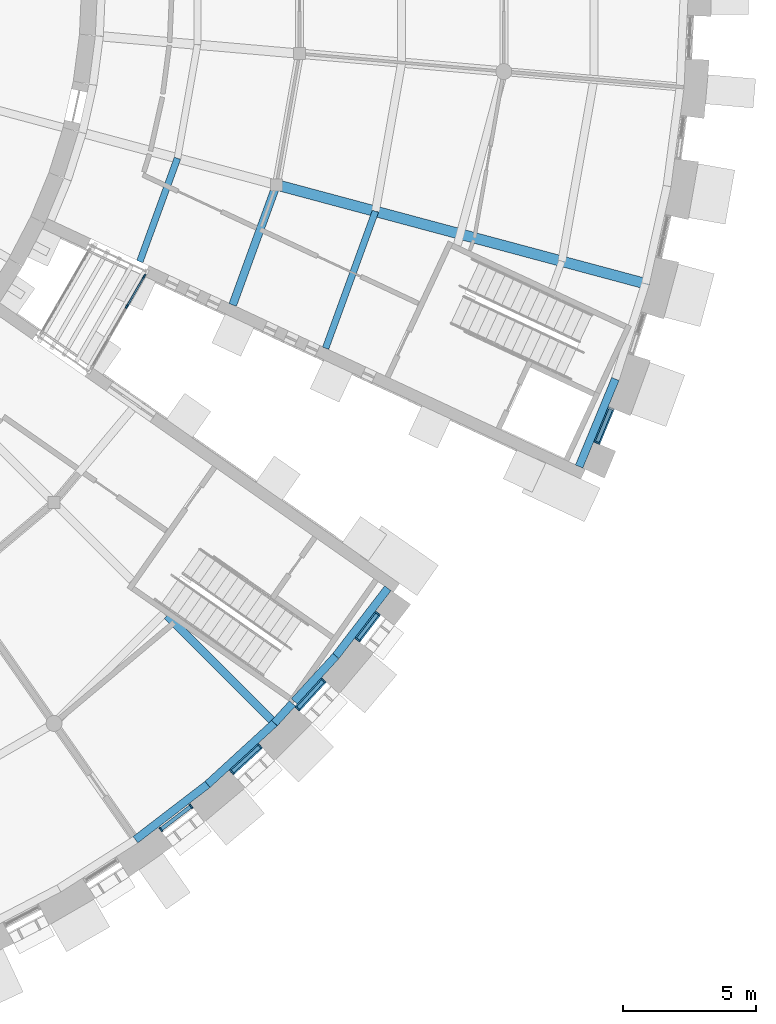
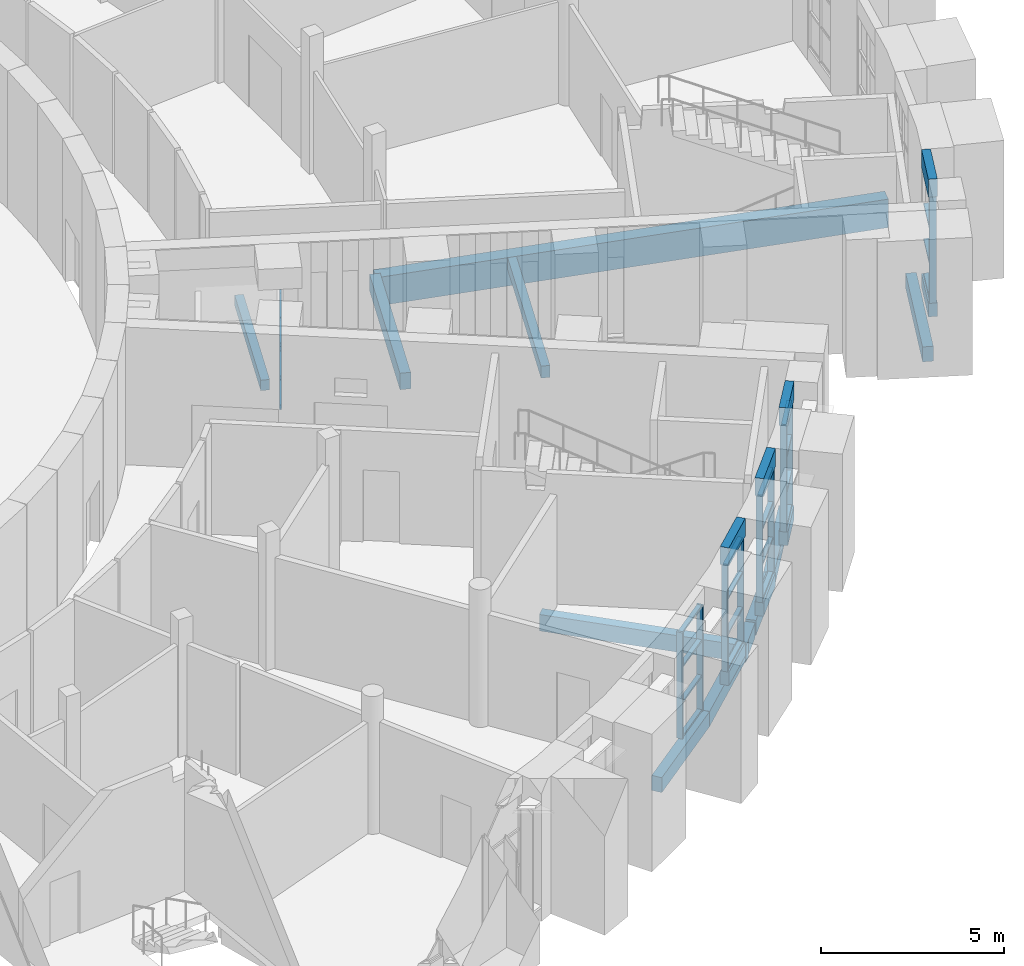
# One storey, part 15 of 66: 34 members, 19 beams, 6 elements without a shape of their own.
"""IFC4 building model written with IfcOpenShell, lengths in metres."""

from ifc_helpers import new_model, si_unit, direction, frame, origin, origin_2d, place, context, subcontext, project, spatial, rectangle, extrude, material, layer, layer_set, material_profile, profile_set, type_object, element, aggregate, save


model = new_model("IFC4")

# Units and contexts
model_context = context("Model", 3, precision=1e-05, world=origin(), true_north=direction((0.0, 1.0)))
body_context = subcontext(model_context, "Body", "Model", "MODEL_VIEW")
ifc_project = project(units=[si_unit("LENGTHUNIT", "METRE"), si_unit("AREAUNIT", "SQUARE_METRE"), si_unit("VOLUMEUNIT", "CUBIC_METRE"), si_unit("PLANEANGLEUNIT", "RADIAN"), si_unit("MASSUNIT", "GRAM", prefix="KILO")], contexts=[model_context])

# Site, building, storey
site_placement = place(None, origin())
site = spatial("IfcSite", under=ifc_project, at=site_placement, CompositionType="ELEMENT")
building_placement = place(site_placement, origin())
building = spatial("IfcBuilding", under=site, at=building_placement, Name="Volute Hill Aquarium", CompositionType="ELEMENT")
storey_placement = place(building_placement, frame((0.0, 0.0, 4.60009765625)))
storey = spatial("IfcBuildingStorey", under=building, at=storey_placement, Name="L02", CompositionType="ELEMENT", Elevation=4.60009765625)

# Beams
ifc_material_1 = material(Name="Concrete C35/45", Category="concrete")
ifc_material_profile_1 = material_profile(ifc_material_1, rectangle(XDim=0.300048828125, YDim=0.550048828125, at=origin_2d()), Name="RC beam 300x550")
ifc_profile_set_1 = profile_set([ifc_material_profile_1], Name="Concrete C35/45")
beam_type_1 = type_object("IfcBeamType", Name="Beam 300x550 C35/45", PredefinedType="BEAM", material=ifc_profile_set_1)
beam_1_placement = place(storey_placement, frame((23.617919921875, -23.617919921875, -0.545166015625), z_axis=(0.707106781187, -0.707106781187, 0.0), x_axis=(0.707106781187, 0.707106781187, 0.0)))
element("IfcBeam", 1, at=beam_1_placement, inside=storey, type_object=beam_type_1, Name="bm/S3/L02/rad4.12", PredefinedType="BEAM", context=body_context, shape_type="SweptSolid", body=[
    extrude(rectangle(XDim=0.300048828125, YDim=0.550048828125, at=origin_2d()), origin(), (0.0, 0.0, 1.0), 5.84912109375),
])
beam_2_placement = place(storey_placement, frame((26.07958984375, -11.9404296875, -0.51513671875), z_axis=(0.342053281392, 0.939680558854, 0.0), x_axis=(-0.939680558854, 0.342053281392, 0.0)))
element("IfcBeam", 2, at=beam_2_placement, inside=storey, type_object=beam_type_1, Name="bm/S4/L02/ring1.11", PredefinedType="BEAM", context=body_context, shape_type="SweptSolid", body=[
    extrude(rectangle(XDim=0.300048828125, YDim=0.550048828125, at=origin_2d()), origin(), (0.0, 0.0, 1.0), 4.802001953125),
])
ifc_material_2 = material(Name="Concrete C35/45", Category="concrete")
ifc_material_profile_2 = material_profile(ifc_material_2, rectangle(XDim=0.39990234375, YDim=0.949951171875, at=origin_2d()), Name="RC beam 400x950")
ifc_profile_set_2 = profile_set([ifc_material_profile_2], Name="Concrete C35/45")
beam_type_2 = type_object("IfcBeamType", Name="Beam 400x950 C35/45", PredefinedType="BEAM", material=ifc_profile_set_2)
beam_3_placement = place(storey_placement, frame((27.72216796875, -7.427978515625, -0.715087890625), z_axis=(0.965924602504, -0.258823612287, 0.0), x_axis=(0.258823612287, 0.965924602504, 0.0)))
element("IfcBeam", 3, at=beam_3_placement, inside=storey, type_object=beam_type_2, Name="bm/S4/L02/rad1.2", PredefinedType="BEAM", context=body_context, shape_type="SweptSolid", body=[
    extrude(rectangle(XDim=0.39990234375, YDim=0.949951171875, at=origin_2d()), origin(), (0.0, 0.0, 1.0), 14.5),
])

# Curtain wall, members
ifc_material_3 = material(Name="Aluminium and glass", Category="aluminium")
ifc_layer_1 = layer(ifc_material_3, 0.1201171875)
ifc_layer_set_1 = layer_set([ifc_layer_1], Name="Bridge curtain wall")
curtain_wall_type_1 = type_object("IfcCurtainWallType", Name="Bridge curtain wall", PredefinedType="NOTDEFINED", material=ifc_layer_set_1)
curtain_wall_1_placement = place(storey_placement, origin())
curtain_wall_1 = element("IfcCurtainWall", 4, at=curtain_wall_1_placement, inside=storey, type_object=curtain_wall_type_1, Name="br/SC4/L02/cwb", PredefinedType="NOTDEFINED")
ifc_material_4 = material(Name="Aluminium", Category="aluminium")
ifc_material_profile_3 = material_profile(ifc_material_4, rectangle(XDim=0.06005859375, YDim=0.159912109375, at=origin_2d()), Name="Aluminium mullion 60x160")
ifc_profile_set_3 = profile_set([ifc_material_profile_3], Name="Aluminium")
member_type_1 = type_object("IfcMemberType", Name="Bridge mullion 60x160", PredefinedType="MULLION", material=ifc_profile_set_3)
member_1_placement = place(storey_placement, frame((22.10498046875, -11.992919921875, 0.0), z_axis=(0.0, 0.0, 1.0), x_axis=(-0.866022279881, 0.50000541072, 0.0)))
member_1 = element("IfcMember", 5, at=member_1_placement, type_object=member_type_1, Name="BR5 mullion 3", PredefinedType="MULLION", context=body_context, shape_type="SweptSolid", body=[
    extrude(rectangle(XDim=0.06005859375, YDim=0.159912109375, at=origin_2d()), origin(), (0.0, 0.0, 1.0), 3.0),
])
member_2_placement = place(storey_placement, frame((22.756103515625, -10.864990234375, 0.0), z_axis=(0.0, 0.0, 1.0), x_axis=(-0.866022279881, 0.50000541072, 0.0)))
member_2 = element("IfcMember", 6, at=member_2_placement, type_object=member_type_1, Name="BR5 mullion 4", PredefinedType="MULLION", context=body_context, shape_type="SweptSolid", body=[
    extrude(rectangle(XDim=0.06005859375, YDim=0.159912109375, at=origin_2d()), origin(), (0.0, 0.0, 1.0), 3.0),
])
ifc_material_5 = material(Name="Aluminium", Category="aluminium")
ifc_material_profile_4 = material_profile(ifc_material_5, rectangle(XDim=0.06005859375, YDim=0.1201171875, at=origin_2d()), Name="Aluminium transom 60x120")
ifc_profile_set_4 = profile_set([ifc_material_profile_4], Name="Aluminium")
member_type_2 = type_object("IfcMemberType", Name="Bridge transom 60x120", PredefinedType="USERDEFINED", material=ifc_profile_set_4)
member_3_placement = place(storey_placement, frame((22.119873046875, -11.967041015625, 0.02978515625), z_axis=(0.500090980937, 0.865972869544, 0.0), x_axis=(-0.865972869544, 0.500090980937, 0.0)))
member_3 = element("IfcMember", 7, at=member_3_placement, type_object=member_type_2, Name="BR5 transom 3.1", ObjectType="TRANSOM", PredefinedType="USERDEFINED", context=body_context, shape_type="SweptSolid", body=[
    extrude(rectangle(XDim=0.06005859375, YDim=0.1201171875, at=origin_2d()), origin(), (0.0, 0.0, 1.0), 1.242431640625),
])
member_4_placement = place(storey_placement, frame((22.119873046875, -11.967041015625, 1.0), z_axis=(0.500090980937, 0.865972869544, 0.0), x_axis=(-0.865972869544, 0.500090980937, 0.0)))
member_4 = element("IfcMember", 8, at=member_4_placement, type_object=member_type_2, Name="BR5 transom 3.2", ObjectType="TRANSOM", PredefinedType="USERDEFINED", context=body_context, shape_type="SweptSolid", body=[
    extrude(rectangle(XDim=0.06005859375, YDim=0.1201171875, at=origin_2d()), origin(), (0.0, 0.0, 1.0), 1.242431640625),
])
member_5_placement = place(storey_placement, frame((22.119873046875, -11.967041015625, 2.099853515625), z_axis=(0.500090980937, 0.865972869544, 0.0), x_axis=(-0.865972869544, 0.500090980937, 0.0)))
member_5 = element("IfcMember", 9, at=member_5_placement, type_object=member_type_2, Name="BR5 transom 3.3", ObjectType="TRANSOM", PredefinedType="USERDEFINED", context=body_context, shape_type="SweptSolid", body=[
    extrude(rectangle(XDim=0.06005859375, YDim=0.1201171875, at=origin_2d()), origin(), (0.0, 0.0, 1.0), 1.242431640625),
])
member_6_placement = place(storey_placement, frame((22.119873046875, -11.967041015625, 2.969970703125), z_axis=(0.500090980937, 0.865972869544, 0.0), x_axis=(-0.865972869544, 0.500090980937, 0.0)))
member_6 = element("IfcMember", 10, at=member_6_placement, type_object=member_type_2, Name="BR5 transom 3.4", ObjectType="TRANSOM", PredefinedType="USERDEFINED", context=body_context, shape_type="SweptSolid", body=[
    extrude(rectangle(XDim=0.06005859375, YDim=0.1201171875, at=origin_2d()), origin(), (0.0, 0.0, 1.0), 1.242431640625),
])
aggregate(curtain_wall_1, [member_1, member_2, member_3, member_4, member_5, member_6])

ifc_material_6 = material(Name="Aluminium", Category="aluminium")
ifc_layer_2 = layer(ifc_material_6, 0.25)
ifc_layer_set_2 = layer_set([ifc_layer_2], Name="Curtain wall niche S3 module 1489")
curtain_wall_type_2 = type_object("IfcCurtainWallType", Name="Curtain wall niche S3 module 1489", PredefinedType="NOTDEFINED", material=ifc_layer_set_2)
curtain_wall_2_placement = place(storey_placement, origin())
curtain_wall_2 = element("IfcCurtainWall", 11, at=curtain_wall_2_placement, inside=storey, type_object=curtain_wall_type_2, Name="Curtain wall CW S3 L02 7", PredefinedType="NOTDEFINED")
ifc_material_7 = material(Name="Aluminium", Category="aluminium")
ifc_material_profile_5 = material_profile(ifc_material_7, rectangle(XDim=0.179931640625, YDim=0.06005859375, at=origin_2d()), Name="Curtain wall mullion S3 60x180")
ifc_profile_set_5 = profile_set([ifc_material_profile_5], Name="Aluminium")
member_type_3 = type_object("IfcMemberType", Name="Curtain wall mullion S3 60x180", PredefinedType="MULLION", material=ifc_profile_set_5)
member_7_placement = place(storey_placement, frame((23.380126953125, -31.643310546875, 0.449951171875), z_axis=(0.0, 0.0, 1.0), x_axis=(-0.608746843851, 0.793364531663, 0.0)))
member_7 = element("IfcMember", 12, at=member_7_placement, type_object=member_type_3, Name="CW mullion 1", PredefinedType="MULLION", context=body_context, shape_type="SweptSolid", body=[
    extrude(rectangle(XDim=0.179931640625, YDim=0.06005859375, at=origin_2d()), origin(), (0.0, 0.0, 1.0), 3.550048828125),
])
member_8_placement = place(storey_placement, frame((24.513916015625, -30.773193359375, 0.449951171875), z_axis=(0.0, 0.0, 1.0), x_axis=(-0.608746843851, 0.793364531663, 0.0)))
member_8 = element("IfcMember", 13, at=member_8_placement, type_object=member_type_3, Name="CW mullion 2", PredefinedType="MULLION", context=body_context, shape_type="SweptSolid", body=[
    extrude(rectangle(XDim=0.179931640625, YDim=0.06005859375, at=origin_2d()), origin(), (0.0, 0.0, 1.0), 3.550048828125),
])

curtain_wall_3_placement = place(storey_placement, origin())
curtain_wall_3 = element("IfcCurtainWall", 14, at=curtain_wall_3_placement, inside=storey, type_object=curtain_wall_type_2, Name="Curtain wall CW S3 L02 8", PredefinedType="NOTDEFINED")
member_9_placement = place(storey_placement, frame((26.048828125, -29.4853515625, 0.449951171875), z_axis=(0.0, 0.0, 1.0), x_axis=(-0.675613025622, 0.73725642731, 0.0)))
member_9 = element("IfcMember", 15, at=member_9_placement, type_object=member_type_3, Name="CW mullion 1", PredefinedType="MULLION", context=body_context, shape_type="SweptSolid", body=[
    extrude(rectangle(XDim=0.179931640625, YDim=0.06005859375, at=origin_2d()), origin(), (0.0, 0.0, 1.0), 3.550048828125),
])
member_10_placement = place(storey_placement, frame((27.1025390625, -28.519775390625, 0.449951171875), z_axis=(0.0, 0.0, 1.0), x_axis=(-0.675613025622, 0.73725642731, 0.0)))
member_10 = element("IfcMember", 16, at=member_10_placement, type_object=member_type_3, Name="CW mullion 2", PredefinedType="MULLION", context=body_context, shape_type="SweptSolid", body=[
    extrude(rectangle(XDim=0.179931640625, YDim=0.06005859375, at=origin_2d()), origin(), (0.0, 0.0, 1.0), 3.550048828125),
])

curtain_wall_4_placement = place(storey_placement, origin())
curtain_wall_4 = element("IfcCurtainWall", 17, at=curtain_wall_4_placement, inside=storey, type_object=curtain_wall_type_2, Name="Curtain wall CW S3 L02 9", PredefinedType="NOTDEFINED")
member_11_placement = place(storey_placement, frame((28.51953125, -27.102783203125, 0.449951171875), z_axis=(0.0, 0.0, 1.0), x_axis=(-0.737259772044, 0.675609375694, 0.0)))
member_11 = element("IfcMember", 18, at=member_11_placement, type_object=member_type_3, Name="CW mullion 1", PredefinedType="MULLION", context=body_context, shape_type="SweptSolid", body=[
    extrude(rectangle(XDim=0.179931640625, YDim=0.06005859375, at=origin_2d()), origin(), (0.0, 0.0, 1.0), 3.550048828125),
])
member_12_placement = place(storey_placement, frame((29.485107421875, -26.049072265625, 0.449951171875), z_axis=(0.0, 0.0, 1.0), x_axis=(-0.737259772044, 0.675609375694, 0.0)))
member_12 = element("IfcMember", 19, at=member_12_placement, type_object=member_type_3, Name="CW mullion 2", PredefinedType="MULLION", context=body_context, shape_type="SweptSolid", body=[
    extrude(rectangle(XDim=0.179931640625, YDim=0.06005859375, at=origin_2d()), origin(), (0.0, 0.0, 1.0), 3.550048828125),
])

ifc_material_8 = material(Name="Aluminium", Category="aluminium")
ifc_layer_3 = layer(ifc_material_8, 0.25)
ifc_layer_set_3 = layer_set([ifc_layer_3], Name="Curtain wall niche S3 module 1289")
curtain_wall_type_3 = type_object("IfcCurtainWallType", Name="Curtain wall niche S3 module 1289", PredefinedType="NOTDEFINED", material=ifc_layer_set_3)
curtain_wall_5_placement = place(storey_placement, origin())
curtain_wall_5 = element("IfcCurtainWall", 20, at=curtain_wall_5_placement, inside=storey, type_object=curtain_wall_type_3, Name="Curtain wall CW S3 L02 10", PredefinedType="NOTDEFINED")
member_13_placement = place(storey_placement, frame((30.773193359375, -24.513916015625, 0.449951171875), z_axis=(0.0, 0.0, 1.0), x_axis=(-0.79336569779, 0.608745324064, 0.0)))
member_13 = element("IfcMember", 21, at=member_13_placement, type_object=member_type_3, Name="CW mullion 1", PredefinedType="MULLION", context=body_context, shape_type="SweptSolid", body=[
    extrude(rectangle(XDim=0.179931640625, YDim=0.06005859375, at=origin_2d()), origin(), (0.0, 0.0, 1.0), 3.550048828125),
])
member_14_placement = place(storey_placement, frame((31.521484375, -23.538818359375, 0.449951171875), z_axis=(0.0, 0.0, 1.0), x_axis=(-0.79336569779, 0.608745324064, 0.0)))
member_14 = element("IfcMember", 22, at=member_14_placement, type_object=member_type_3, Name="CW mullion 2", PredefinedType="MULLION", context=body_context, shape_type="SweptSolid", body=[
    extrude(rectangle(XDim=0.179931640625, YDim=0.06005859375, at=origin_2d()), origin(), (0.0, 0.0, 1.0), 3.550048828125),
])

# Curtain wall, member
ifc_material_9 = material(Name="Aluminium", Category="aluminium")
ifc_layer_4 = layer(ifc_material_9, 0.25)
ifc_layer_set_4 = layer_set([ifc_layer_4], Name="Curtain wall niche S4 module 1437")
curtain_wall_type_4 = type_object("IfcCurtainWallType", Name="Curtain wall niche S4 module 1437", PredefinedType="NOTDEFINED", material=ifc_layer_set_4)
curtain_wall_6_placement = place(storey_placement, origin())
curtain_wall_6 = element("IfcCurtainWall", 23, at=curtain_wall_6_placement, inside=storey, type_object=curtain_wall_type_4, Name="Curtain wall CW S4 L02 1", PredefinedType="NOTDEFINED")
ifc_material_10 = material(Name="Aluminium", Category="aluminium")
ifc_material_profile_6 = material_profile(ifc_material_10, rectangle(XDim=0.199951171875, YDim=0.06005859375, at=origin_2d()), Name="Curtain wall mullion S4 60x200")
ifc_profile_set_6 = profile_set([ifc_material_profile_6], Name="Aluminium")
member_type_4 = type_object("IfcMemberType", Name="Curtain wall mullion S4 60x200", PredefinedType="MULLION", material=ifc_profile_set_6)
member_15_placement = place(storey_placement, frame((39.763427734375, -17.107666015625, 0.449951171875), z_axis=(0.0, 0.0, 1.0), x_axis=(-0.923873852375, 0.38269714514, 0.0)))
member_15 = element("IfcMember", 24, at=member_15_placement, type_object=member_type_4, Name="CW mullion 1", PredefinedType="MULLION", context=body_context, shape_type="SweptSolid", body=[
    extrude(rectangle(XDim=0.199951171875, YDim=0.06005859375, at=origin_2d()), origin(), (0.0, 0.0, 1.0), 3.550048828125),
])

# Member
ifc_material_11 = material(Name="Aluminium", Category="aluminium")
ifc_material_profile_7 = material_profile(ifc_material_11, rectangle(XDim=0.139892578125, YDim=0.06005859375, at=origin_2d()), Name="Curtain wall transom S3 60x140")
ifc_profile_set_7 = profile_set([ifc_material_profile_7], Name="Aluminium")
member_type_5 = type_object("IfcMemberType", Name="Curtain wall transom S3 60x140", PredefinedType="USERDEFINED", material=ifc_profile_set_7)
member_16_placement = place(storey_placement, frame((23.40380859375, -31.625, 0.47998046875), z_axis=(0.793405441688, 0.608693523129, 0.0), x_axis=(-0.608693523129, 0.793405441688, 0.0)))
member_16 = element("IfcMember", 25, at=member_16_placement, type_object=member_type_5, Name="CW transom 1.1", ObjectType="TRANSOM", PredefinedType="USERDEFINED", context=body_context, shape_type="SweptSolid", body=[
    extrude(rectangle(XDim=0.139892578125, YDim=0.06005859375, at=origin_2d()), origin(), (0.0, 0.0, 1.0), 1.369384765625),
])

member_17_placement = place(storey_placement, frame((23.40380859375, -31.625, 1.63330078125), z_axis=(0.793405441688, 0.608693523129, 0.0), x_axis=(-0.608693523129, 0.793405441688, 0.0)))
member_17 = element("IfcMember", 26, at=member_17_placement, type_object=member_type_5, Name="CW transom 1.2", ObjectType="TRANSOM", PredefinedType="USERDEFINED", context=body_context, shape_type="SweptSolid", body=[
    extrude(rectangle(XDim=0.139892578125, YDim=0.06005859375, at=origin_2d()), origin(), (0.0, 0.0, 1.0), 1.369384765625),
])

member_18_placement = place(storey_placement, frame((23.40380859375, -31.625, 2.816650390625), z_axis=(0.793405441688, 0.608693523129, 0.0), x_axis=(-0.608693523129, 0.793405441688, 0.0)))
member_18 = element("IfcMember", 27, at=member_18_placement, type_object=member_type_5, Name="CW transom 1.3", ObjectType="TRANSOM", PredefinedType="USERDEFINED", context=body_context, shape_type="SweptSolid", body=[
    extrude(rectangle(XDim=0.139892578125, YDim=0.06005859375, at=origin_2d()), origin(), (0.0, 0.0, 1.0), 1.369384765625),
])

member_19_placement = place(storey_placement, frame((23.40380859375, -31.625, 3.969970703125), z_axis=(0.793405441688, 0.608693523129, 0.0), x_axis=(-0.608693523129, 0.793405441688, 0.0)))
member_19 = element("IfcMember", 28, at=member_19_placement, type_object=member_type_5, Name="CW transom 1.4", ObjectType="TRANSOM", PredefinedType="USERDEFINED", context=body_context, shape_type="SweptSolid", body=[
    extrude(rectangle(XDim=0.139892578125, YDim=0.06005859375, at=origin_2d()), origin(), (0.0, 0.0, 1.0), 1.369384765625),
])

aggregate(curtain_wall_2, [member_7, member_8, member_16, member_17, member_18, member_19])

member_20_placement = place(storey_placement, frame((26.071044921875, -29.465087890625, 0.47998046875), z_axis=(0.73727994828, 0.675587357686, 0.0), x_axis=(-0.675587357686, 0.73727994828, 0.0)))
member_20 = element("IfcMember", 29, at=member_20_placement, type_object=member_type_5, Name="CW transom 1.1", ObjectType="TRANSOM", PredefinedType="USERDEFINED", context=body_context, shape_type="SweptSolid", body=[
    extrude(rectangle(XDim=0.139892578125, YDim=0.06005859375, at=origin_2d()), origin(), (0.0, 0.0, 1.0), 1.369140625),
])

member_21_placement = place(storey_placement, frame((26.071044921875, -29.465087890625, 1.63330078125), z_axis=(0.73727994828, 0.675587357686, 0.0), x_axis=(-0.675587357686, 0.73727994828, 0.0)))
member_21 = element("IfcMember", 30, at=member_21_placement, type_object=member_type_5, Name="CW transom 1.2", ObjectType="TRANSOM", PredefinedType="USERDEFINED", context=body_context, shape_type="SweptSolid", body=[
    extrude(rectangle(XDim=0.139892578125, YDim=0.06005859375, at=origin_2d()), origin(), (0.0, 0.0, 1.0), 1.369140625),
])

member_22_placement = place(storey_placement, frame((26.071044921875, -29.465087890625, 2.816650390625), z_axis=(0.73727994828, 0.675587357686, 0.0), x_axis=(-0.675587357686, 0.73727994828, 0.0)))
member_22 = element("IfcMember", 31, at=member_22_placement, type_object=member_type_5, Name="CW transom 1.3", ObjectType="TRANSOM", PredefinedType="USERDEFINED", context=body_context, shape_type="SweptSolid", body=[
    extrude(rectangle(XDim=0.139892578125, YDim=0.06005859375, at=origin_2d()), origin(), (0.0, 0.0, 1.0), 1.369140625),
])

member_23_placement = place(storey_placement, frame((26.071044921875, -29.465087890625, 3.969970703125), z_axis=(0.73727994828, 0.675587357686, 0.0), x_axis=(-0.675587357686, 0.73727994828, 0.0)))
member_23 = element("IfcMember", 32, at=member_23_placement, type_object=member_type_5, Name="CW transom 1.4", ObjectType="TRANSOM", PredefinedType="USERDEFINED", context=body_context, shape_type="SweptSolid", body=[
    extrude(rectangle(XDim=0.139892578125, YDim=0.06005859375, at=origin_2d()), origin(), (0.0, 0.0, 1.0), 1.369140625),
])

aggregate(curtain_wall_3, [member_9, member_10, member_20, member_21, member_22, member_23])

member_24_placement = place(storey_placement, frame((28.539794921875, -27.08056640625, 0.47998046875), z_axis=(0.675587357686, 0.73727994828, 0.0), x_axis=(-0.73727994828, 0.675587357686, 0.0)))
member_24 = element("IfcMember", 33, at=member_24_placement, type_object=member_type_5, Name="CW transom 1.1", ObjectType="TRANSOM", PredefinedType="USERDEFINED", context=body_context, shape_type="SweptSolid", body=[
    extrude(rectangle(XDim=0.139892578125, YDim=0.06005859375, at=origin_2d()), origin(), (0.0, 0.0, 1.0), 1.369140625),
])

member_25_placement = place(storey_placement, frame((28.539794921875, -27.08056640625, 1.63330078125), z_axis=(0.675587357686, 0.73727994828, 0.0), x_axis=(-0.73727994828, 0.675587357686, 0.0)))
member_25 = element("IfcMember", 34, at=member_25_placement, type_object=member_type_5, Name="CW transom 1.2", ObjectType="TRANSOM", PredefinedType="USERDEFINED", context=body_context, shape_type="SweptSolid", body=[
    extrude(rectangle(XDim=0.139892578125, YDim=0.06005859375, at=origin_2d()), origin(), (0.0, 0.0, 1.0), 1.369140625),
])

member_26_placement = place(storey_placement, frame((28.539794921875, -27.08056640625, 2.816650390625), z_axis=(0.675587357686, 0.73727994828, 0.0), x_axis=(-0.73727994828, 0.675587357686, 0.0)))
member_26 = element("IfcMember", 35, at=member_26_placement, type_object=member_type_5, Name="CW transom 1.3", ObjectType="TRANSOM", PredefinedType="USERDEFINED", context=body_context, shape_type="SweptSolid", body=[
    extrude(rectangle(XDim=0.139892578125, YDim=0.06005859375, at=origin_2d()), origin(), (0.0, 0.0, 1.0), 1.369140625),
])

member_27_placement = place(storey_placement, frame((28.539794921875, -27.08056640625, 3.969970703125), z_axis=(0.675587357686, 0.73727994828, 0.0), x_axis=(-0.73727994828, 0.675587357686, 0.0)))
member_27 = element("IfcMember", 36, at=member_27_placement, type_object=member_type_5, Name="CW transom 1.4", ObjectType="TRANSOM", PredefinedType="USERDEFINED", context=body_context, shape_type="SweptSolid", body=[
    extrude(rectangle(XDim=0.139892578125, YDim=0.06005859375, at=origin_2d()), origin(), (0.0, 0.0, 1.0), 1.369140625),
])

aggregate(curtain_wall_4, [member_11, member_12, member_24, member_25, member_26, member_27])

member_28_placement = place(storey_placement, frame((30.79150390625, -24.490234375, 0.47998046875), z_axis=(0.608751540915, 0.793360927594, 0.0), x_axis=(-0.793360927594, 0.608751540915, 0.0)))
member_28 = element("IfcMember", 37, at=member_28_placement, type_object=member_type_5, Name="CW transom 1.1", ObjectType="TRANSOM", PredefinedType="USERDEFINED", context=body_context, shape_type="SweptSolid", body=[
    extrude(rectangle(XDim=0.139892578125, YDim=0.06005859375, at=origin_2d()), origin(), (0.0, 0.0, 1.0), 1.1689453125),
])

member_29_placement = place(storey_placement, frame((30.79150390625, -24.490234375, 1.63330078125), z_axis=(0.608751540915, 0.793360927594, 0.0), x_axis=(-0.793360927594, 0.608751540915, 0.0)))
member_29 = element("IfcMember", 38, at=member_29_placement, type_object=member_type_5, Name="CW transom 1.2", ObjectType="TRANSOM", PredefinedType="USERDEFINED", context=body_context, shape_type="SweptSolid", body=[
    extrude(rectangle(XDim=0.139892578125, YDim=0.06005859375, at=origin_2d()), origin(), (0.0, 0.0, 1.0), 1.1689453125),
])

member_30_placement = place(storey_placement, frame((30.79150390625, -24.490234375, 2.816650390625), z_axis=(0.608751540915, 0.793360927594, 0.0), x_axis=(-0.793360927594, 0.608751540915, 0.0)))
member_30 = element("IfcMember", 39, at=member_30_placement, type_object=member_type_5, Name="CW transom 1.3", ObjectType="TRANSOM", PredefinedType="USERDEFINED", context=body_context, shape_type="SweptSolid", body=[
    extrude(rectangle(XDim=0.139892578125, YDim=0.06005859375, at=origin_2d()), origin(), (0.0, 0.0, 1.0), 1.1689453125),
])

member_31_placement = place(storey_placement, frame((30.79150390625, -24.490234375, 3.969970703125), z_axis=(0.608751540915, 0.793360927594, 0.0), x_axis=(-0.793360927594, 0.608751540915, 0.0)))
member_31 = element("IfcMember", 40, at=member_31_placement, type_object=member_type_5, Name="CW transom 1.4", ObjectType="TRANSOM", PredefinedType="USERDEFINED", context=body_context, shape_type="SweptSolid", body=[
    extrude(rectangle(XDim=0.139892578125, YDim=0.06005859375, at=origin_2d()), origin(), (0.0, 0.0, 1.0), 1.1689453125),
])

aggregate(curtain_wall_5, [member_13, member_14, member_28, member_29, member_30, member_31])

ifc_material_12 = material(Name="Aluminium", Category="aluminium")
ifc_material_profile_8 = material_profile(ifc_material_12, rectangle(XDim=0.14990234375, YDim=0.06005859375, at=origin_2d()), Name="Curtain wall transom S4 60x150")
ifc_profile_set_8 = profile_set([ifc_material_profile_8], Name="Aluminium")
member_type_6 = type_object("IfcMemberType", Name="Curtain wall transom S4 60x150", PredefinedType="USERDEFINED", material=ifc_profile_set_8)
member_32_placement = place(storey_placement, frame((39.77490234375, -17.079833984375, 0.47998046875), z_axis=(0.3827064316, 0.923870005581, 0.0), x_axis=(-0.923870005581, 0.3827064316, 0.0)))
member_32 = element("IfcMember", 41, at=member_32_placement, type_object=member_type_6, Name="CW transom 1.1", ObjectType="TRANSOM", PredefinedType="USERDEFINED", context=body_context, shape_type="SweptSolid", body=[
    extrude(rectangle(XDim=0.14990234375, YDim=0.06005859375, at=origin_2d()), origin(), (0.0, 0.0, 1.0), 1.3173828125),
])

member_33_placement = place(storey_placement, frame((39.77490234375, -17.079833984375, 1.63330078125), z_axis=(0.3827064316, 0.923870005581, 0.0), x_axis=(-0.923870005581, 0.3827064316, 0.0)))
member_33 = element("IfcMember", 42, at=member_33_placement, type_object=member_type_6, Name="CW transom 1.2", ObjectType="TRANSOM", PredefinedType="USERDEFINED", context=body_context, shape_type="SweptSolid", body=[
    extrude(rectangle(XDim=0.14990234375, YDim=0.06005859375, at=origin_2d()), origin(), (0.0, 0.0, 1.0), 1.3173828125),
])

member_34_placement = place(storey_placement, frame((39.77490234375, -17.079833984375, 2.816650390625), z_axis=(0.3827064316, 0.923870005581, 0.0), x_axis=(-0.923870005581, 0.3827064316, 0.0)))
member_34 = element("IfcMember", 43, at=member_34_placement, type_object=member_type_6, Name="CW transom 1.3", ObjectType="TRANSOM", PredefinedType="USERDEFINED", context=body_context, shape_type="SweptSolid", body=[
    extrude(rectangle(XDim=0.14990234375, YDim=0.06005859375, at=origin_2d()), origin(), (0.0, 0.0, 1.0), 1.3173828125),
])

aggregate(curtain_wall_6, [member_15, member_32, member_33, member_34])

# Beams
ifc_material_13 = material(Name="Concrete C35/45", Category="concrete")
ifc_material_profile_9 = material_profile(ifc_material_13, rectangle(XDim=0.300048828125, YDim=0.5, at=origin_2d()), Name="RC edge beam 300x500")
ifc_profile_set_9 = profile_set([ifc_material_profile_9], Name="Concrete C35/45")
beam_type_3 = type_object("IfcBeamType", Name="Edge beam 300x500 C35/45", PredefinedType="BEAM", material=ifc_profile_set_9)
for number, where, z_axis, x_axis, name in (
    (44, (22.4267578125, -32.02880859375, -0.52001953125), (0.793320580874, 0.608804119534, 0.0), (-0.608804119534, 0.793320580874, 0.0), "bm/S3/L02/edgeO.38"),
    (45, (25.1328125, -29.9521484375, -0.52001953125), (0.737281879536, 0.675585250067, 0.0), (-0.675585250067, 0.737281879536, 0.0), "bm/S3/L02/edgeO.39"),
):
    element("IfcBeam", number, at=place(storey_placement, frame(where, z_axis=z_axis, x_axis=x_axis)), inside=storey, type_object=beam_type_3, Name=name, PredefinedType="BEAM", context=body_context, shape_type="SweptSolid", body=[
        extrude(rectangle(XDim=0.300048828125, YDim=0.5, at=origin_2d()), origin(), (0.0, 0.0, 1.0), 3.4111328125),
    ])
beam_4_placement = place(storey_placement, frame((27.647705078125, -27.647705078125, -0.52001953125), z_axis=(0.675613853927, 0.73725566826, 0.0), x_axis=(-0.73725566826, 0.675613853927, 0.0)))
element("IfcBeam", 46, at=beam_4_placement, inside=storey, type_object=beam_type_3, Name="bm/S3/L02/edgeO.40", PredefinedType="BEAM", context=body_context, shape_type="SweptSolid", body=[
    extrude(rectangle(XDim=0.300048828125, YDim=0.5, at=origin_2d()), origin(), (0.0, 0.0, 1.0), 0.998046875),
])
beam_5_placement = place(storey_placement, frame((28.393798828125, -26.83349609375, -0.52001953125), z_axis=(0.675580832147, 0.737285927735, 0.0), x_axis=(-0.737285927735, 0.675580832147, 0.0)))
element("IfcBeam", 47, at=beam_5_placement, inside=storey, type_object=beam_type_3, Name="bm/S3/L02/edgeO.41", PredefinedType="BEAM", context=body_context, shape_type="SweptSolid", body=[
    extrude(rectangle(XDim=0.300048828125, YDim=0.5, at=origin_2d()), origin(), (0.0, 0.0, 1.0), 2.306640625),
])
beam_6_placement = place(storey_placement, frame((29.9521484375, -25.1328125, -0.52001953125), z_axis=(0.608832139492, 0.793299077222, 0.0), x_axis=(-0.793299077222, 0.608832139492, 0.0)))
element("IfcBeam", 48, at=beam_6_placement, inside=storey, type_object=beam_type_3, Name="bm/S3/L02/edgeO.42", PredefinedType="BEAM", context=body_context, shape_type="SweptSolid", body=[
    extrude(rectangle(XDim=0.300048828125, YDim=0.5, at=origin_2d()), origin(), (0.0, 0.0, 1.0), 3.210693359375),
])
beam_7_placement = place(storey_placement, frame((39.093017578125, -18.0087890625, -0.489990234375), z_axis=(0.382669162072, 0.923885443331, 0.0), x_axis=(-0.923885443331, 0.382669162072, 0.0)))
element("IfcBeam", 49, at=beam_7_placement, inside=storey, type_object=beam_type_3, Name="bm/S4/L02/edgeO.29", PredefinedType="BEAM", context=body_context, shape_type="SweptSolid", body=[
    extrude(rectangle(XDim=0.300048828125, YDim=0.5, at=origin_2d()), origin(), (0.0, 0.0, 1.0), 3.555419921875),
])
ifc_material_14 = material(Name="Concrete C35/45", Category="concrete")
ifc_material_profile_10 = material_profile(ifc_material_14, rectangle(XDim=0.25, YDim=0.35009765625, at=origin_2d()), Name="RC joist 250x350")
ifc_profile_set_10 = profile_set([ifc_material_profile_10], Name="Concrete C35/45")
beam_type_4 = type_object("IfcBeamType", Name="Joist 250x350 C35/45", PredefinedType="BEAM", material=ifc_profile_set_10)
beam_8_placement = place(storey_placement, frame((22.59033203125, -10.3134765625, -0.4150390625), z_axis=(0.34206571552, 0.939676032612, 0.0), x_axis=(-0.939676032612, 0.34206571552, 0.0)))
element("IfcBeam", 50, at=beam_8_placement, inside=storey, type_object=beam_type_4, Name="bm/S4/L02/jst1", PredefinedType="BEAM", context=body_context, shape_type="SweptSolid", body=[
    extrude(rectangle(XDim=0.25, YDim=0.35009765625, at=origin_2d()), origin(), (0.0, 0.0, 1.0), 4.131103515625),
])
ifc_material_15 = material(Name="Concrete C35/45", Category="concrete")
ifc_material_profile_11 = material_profile(ifc_material_15, rectangle(XDim=0.25, YDim=0.39990234375, at=origin_2d()), Name="RC joist 250x400")
ifc_profile_set_11 = profile_set([ifc_material_profile_11], Name="Concrete C35/45")
beam_type_5 = type_object("IfcBeamType", Name="Joist 250x400 C35/45", PredefinedType="BEAM", material=ifc_profile_set_11)
beam_9_placement = place(storey_placement, frame((29.569091796875, -13.567626953125, -0.440185546875), z_axis=(0.342004507506, 0.939698311611, 0.0), x_axis=(-0.939698311611, 0.342004507506, 0.0)))
element("IfcBeam", 51, at=beam_9_placement, inside=storey, type_object=beam_type_5, Name="bm/S4/L02/jst6", PredefinedType="BEAM", context=body_context, shape_type="SweptSolid", body=[
    extrude(rectangle(XDim=0.25, YDim=0.39990234375, at=origin_2d()), origin(), (0.0, 0.0, 1.0), 5.47314453125),
])
ifc_material_16 = material(Name="Concrete C35/45", Category="concrete")
ifc_material_profile_12 = material_profile(ifc_material_16, rectangle(XDim=0.25, YDim=0.60009765625, at=origin_2d()), Name="RC beam 250x600")
ifc_profile_set_12 = profile_set([ifc_material_profile_12], Name="Concrete C35/45")
beam_type_6 = type_object("IfcBeamType", Name="Niche head beam RC 250x600 C35/45", PredefinedType="BEAM", material=ifc_profile_set_12)
for number, where, z_axis, x_axis, name in (
    (52, (26.02685546875, -29.505615234375, 4.2998046875), (0.737256210135, 0.675613262612, 0.0), (-0.675613262612, 0.737256210135, 0.0), "Niche head beam OWB S3 L02 8"),
    (53, (28.499267578125, -27.124755859375, 4.2998046875), (0.675613262612, 0.737256210135, 0.0), (-0.737256210135, 0.675613262612, 0.0), "Niche head beam OWB S3 L02 9"),
):
    element("IfcBeam", number, at=place(storey_placement, frame(where, z_axis=z_axis, x_axis=x_axis)), inside=storey, type_object=beam_type_6, Name=name, PredefinedType="BEAM", context=body_context, shape_type="SweptSolid", body=[
        extrude(rectangle(XDim=0.25, YDim=0.60009765625, at=origin_2d()), origin(), (0.0, 0.0, 1.0), 1.4892578125),
    ])
beam_10_placement = place(storey_placement, frame((30.755126953125, -24.537841796875, 4.2998046875), z_axis=(0.608721761392, 0.793383776749, 0.0), x_axis=(-0.793383776749, 0.608721761392, 0.0)))
element("IfcBeam", 54, at=beam_10_placement, inside=storey, type_object=beam_type_6, Name="Niche head beam OWB S3 L02 10", PredefinedType="BEAM", context=body_context, shape_type="SweptSolid", body=[
    extrude(rectangle(XDim=0.25, YDim=0.60009765625, at=origin_2d()), origin(), (0.0, 0.0, 1.0), 1.2890625),
])
beam_11_placement = place(storey_placement, frame((39.751953125, -17.13525390625, 4.2998046875), z_axis=(0.382696833945, 0.923873981281, 0.0), x_axis=(-0.923873981281, 0.382696833945, 0.0)))
element("IfcBeam", 55, at=beam_11_placement, inside=storey, type_object=beam_type_6, Name="Niche head beam OWB S4 L02 1", PredefinedType="BEAM", context=body_context, shape_type="SweptSolid", body=[
    extrude(rectangle(XDim=0.25, YDim=0.60009765625, at=origin_2d()), origin(), (0.0, 0.0, 1.0), 1.437255859375),
])
ifc_material_17 = material(Name="Concrete C35/45", Category="concrete")
ifc_material_profile_13 = material_profile(ifc_material_17, rectangle(XDim=0.25, YDim=0.449951171875, at=origin_2d()), Name="RC beam 250x450")
ifc_profile_set_13 = profile_set([ifc_material_profile_13], Name="Concrete C35/45")
beam_type_7 = type_object("IfcBeamType", Name="Niche sill beam RC 250x450 C35/45", PredefinedType="BEAM", material=ifc_profile_set_13)
for number, where, z_axis, x_axis, name in (
    (56, (26.02685546875, -29.505615234375, 0.224853515625), (0.737256210135, 0.675613262612, 0.0), (-0.675613262612, 0.737256210135, 0.0), "Niche sill beam OWB S3 L02 8"),
    (57, (28.499267578125, -27.124755859375, 0.224853515625), (0.675613262612, 0.737256210135, 0.0), (-0.737256210135, 0.675613262612, 0.0), "Niche sill beam OWB S3 L02 9"),
):
    element("IfcBeam", number, at=place(storey_placement, frame(where, z_axis=z_axis, x_axis=x_axis)), inside=storey, type_object=beam_type_7, Name=name, PredefinedType="BEAM", context=body_context, shape_type="SweptSolid", body=[
        extrude(rectangle(XDim=0.25, YDim=0.449951171875, at=origin_2d()), origin(), (0.0, 0.0, 1.0), 1.4892578125),
    ])
beam_12_placement = place(storey_placement, frame((30.755126953125, -24.537841796875, 0.224853515625), z_axis=(0.608721761392, 0.793383776749, 0.0), x_axis=(-0.793383776749, 0.608721761392, 0.0)))
element("IfcBeam", 58, at=beam_12_placement, inside=storey, type_object=beam_type_7, Name="Niche sill beam OWB S3 L02 10", PredefinedType="BEAM", context=body_context, shape_type="SweptSolid", body=[
    extrude(rectangle(XDim=0.25, YDim=0.449951171875, at=origin_2d()), origin(), (0.0, 0.0, 1.0), 1.2890625),
])
beam_13_placement = place(storey_placement, frame((39.751953125, -17.13525390625, 0.224853515625), z_axis=(0.382696833945, 0.923873981281, 0.0), x_axis=(-0.923873981281, 0.382696833945, 0.0)))
element("IfcBeam", 59, at=beam_13_placement, inside=storey, type_object=beam_type_7, Name="Niche sill beam OWB S4 L02 1", PredefinedType="BEAM", context=body_context, shape_type="SweptSolid", body=[
    extrude(rectangle(XDim=0.25, YDim=0.449951171875, at=origin_2d()), origin(), (0.0, 0.0, 1.0), 1.437255859375),
])

save(model, "model.ifc")
